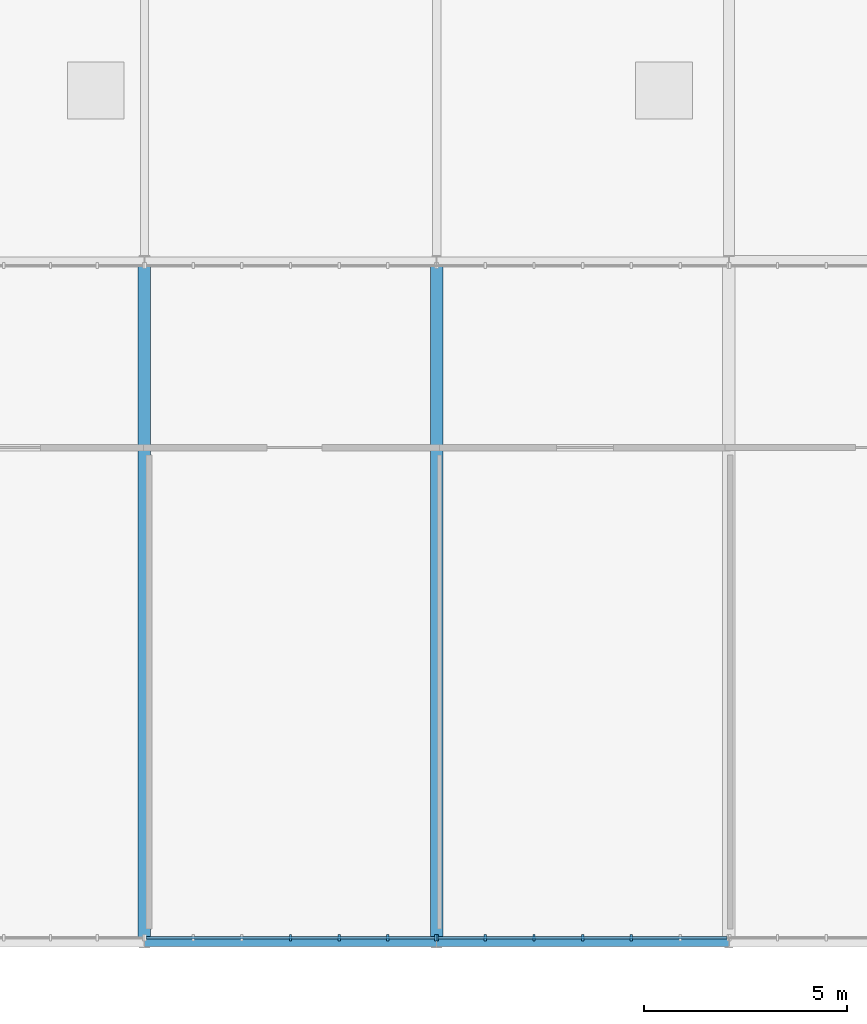
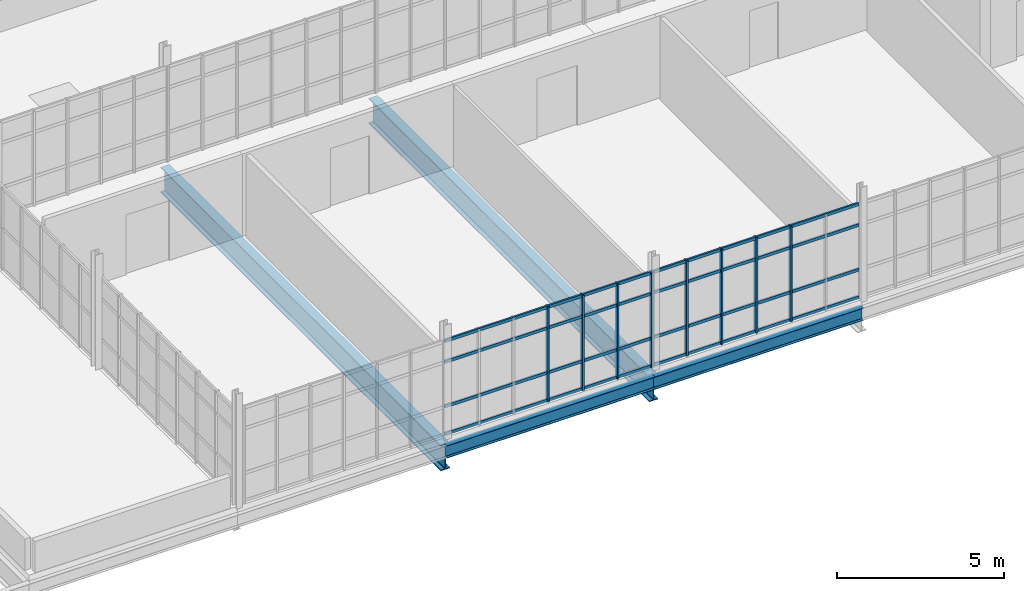
# One storey, part 33 of 119: 17 members, 4 beams, 2 elements without a shape of their own.
"""IFC4 building model written with IfcOpenShell, lengths in metres."""

from ifc_helpers import new_model, si_unit, direction, frame, origin, origin_2d, place, context, subcontext, project, spatial, rectangle, i_section, extrude, material, material_profile, profile_set, type_object, element, aggregate, save


model = new_model("IFC4")

# Units and contexts
model_context = context("Model", 3, precision=1e-05, world=origin(), true_north=direction((0.0, 1.0)))
body_context = subcontext(model_context, "Body", "Model", "MODEL_VIEW")
ifc_project = project(units=[si_unit("LENGTHUNIT", "METRE"), si_unit("AREAUNIT", "SQUARE_METRE"), si_unit("VOLUMEUNIT", "CUBIC_METRE"), si_unit("PLANEANGLEUNIT", "RADIAN"), si_unit("MASSUNIT", "GRAM", prefix="KILO")], contexts=[model_context])

# Site, building, storey
site_placement = place(None, origin())
site = spatial("IfcSite", under=ifc_project, at=site_placement, CompositionType="ELEMENT")
building_placement = place(site_placement, origin())
building = spatial("IfcBuilding", under=site, at=building_placement, Name="Qelthora Terrace Specialist Clinic", CompositionType="ELEMENT")
storey_placement = place(building_placement, frame((0.0, 0.0, 4.800048828125)))
storey = spatial("IfcBuildingStorey", under=building, at=storey_placement, Name="L01", CompositionType="ELEMENT", Elevation=4.800048828125)

# Beams
ifc_material_1 = material(Name="Steel S355", Category="steel")
ifc_material_profile_1 = material_profile(ifc_material_1, i_section(OverallWidth=0.30810546875, OverallDepth=0.927001953125, WebThickness=0.019287109375, FlangeThickness=0.031982421875, FilletRadius=0.02197265625, at=origin_2d()), Name="W920X289")
ifc_profile_set_1 = profile_set([ifc_material_profile_1], Name="Steel S355")
beam_type_1 = type_object("IfcBeamType", Name="BM-W920X289", PredefinedType="BEAM", material=ifc_profile_set_1)
for number, where, z_axis, x_axis, name in (
    (1, (115.199951171875, 0.0, -0.713623046875), (0.0, 1.0, 0.0), (-1.0, 0.0, 0.0), "Girder BMY-L01-0487"),
    (2, (122.39990234375, 0.0, -0.713623046875), (0.0, 1.0, 0.0), (-1.0, 0.0, 0.0), "Girder BMY-L01-0494"),
):
    element("IfcBeam", number, at=place(storey_placement, frame(where, z_axis=z_axis, x_axis=x_axis)), inside=storey, type_object=beam_type_1, Name=name, PredefinedType="BEAM", context=body_context, shape_type="SweptSolid", body=[
        extrude(i_section(OverallWidth=0.30810546875, OverallDepth=0.927001953125, WebThickness=0.019287109375, FlangeThickness=0.031982421875, FilletRadius=0.02197265625, at=origin_2d()), origin(), (0.0, 0.0, 1.0), 16.800048828125),
    ])

# Curtain wall, members
ifc_material_2 = material(Name="Aluminium anodized bronze", Category="aluminium")
curtain_wall_type = type_object("IfcCurtainWallType", Name="CW-CONS-UP", PredefinedType="NOTDEFINED", material=ifc_material_2)
curtain_wall_1_placement = place(storey_placement, origin())
curtain_wall_1 = element("IfcCurtainWall", 3, at=curtain_wall_1_placement, inside=storey, type_object=curtain_wall_type, Name="Curtain wall CW-L01-249", PredefinedType="NOTDEFINED")
ifc_material_profile_2 = material_profile(ifc_material_2, rectangle(XDim=0.06005859375, YDim=0.14990234375, at=origin_2d()), Name="CWM60X150")
ifc_profile_set_2 = profile_set([ifc_material_profile_2], Name="Aluminium anodized bronze")
member_type_1 = type_object("IfcMemberType", Name="CWM-60X150", PredefinedType="MULLION", material=ifc_profile_set_2)
member_1_placement = place(storey_placement, frame((118.800048828125, 0.1201171875, 0.0), z_axis=(0.0, 0.0, 1.0), x_axis=(1.0, 0.0, 0.0)))
member_1 = element("IfcMember", 4, at=member_1_placement, type_object=member_type_1, Name="CW-L01-249 mullion 4", PredefinedType="MULLION", context=body_context, shape_type="SweptSolid", body=[
    extrude(rectangle(XDim=0.06005859375, YDim=0.14990234375, at=origin_2d()), origin(), (0.0, 0.0, 1.0), 3.48193359375),
])
member_2_placement = place(storey_placement, frame((120.0, 0.1201171875, 0.0), z_axis=(0.0, 0.0, 1.0), x_axis=(1.0, 0.0, 0.0)))
member_2 = element("IfcMember", 5, at=member_2_placement, type_object=member_type_1, Name="CW-L01-249 mullion 5", PredefinedType="MULLION", context=body_context, shape_type="SweptSolid", body=[
    extrude(rectangle(XDim=0.06005859375, YDim=0.14990234375, at=origin_2d()), origin(), (0.0, 0.0, 1.0), 3.48193359375),
])
member_3_placement = place(storey_placement, frame((121.199951171875, 0.1201171875, 0.0), z_axis=(0.0, 0.0, 1.0), x_axis=(1.0, 0.0, 0.0)))
member_3 = element("IfcMember", 6, at=member_3_placement, type_object=member_type_1, Name="CW-L01-249 mullion 6", PredefinedType="MULLION", context=body_context, shape_type="SweptSolid", body=[
    extrude(rectangle(XDim=0.06005859375, YDim=0.14990234375, at=origin_2d()), origin(), (0.0, 0.0, 1.0), 3.48193359375),
])
member_4_placement = place(storey_placement, frame((122.3798828125, 0.1201171875, 0.0), z_axis=(0.0, 0.0, 1.0), x_axis=(1.0, 0.0, 0.0)))
member_4 = element("IfcMember", 7, at=member_4_placement, type_object=member_type_1, Name="CW-L01-249 mullion 7", PredefinedType="MULLION", context=body_context, shape_type="SweptSolid", body=[
    extrude(rectangle(XDim=0.06005859375, YDim=0.14990234375, at=origin_2d()), origin(), (0.0, 0.0, 1.0), 3.48193359375),
])

curtain_wall_2_placement = place(storey_placement, origin())
curtain_wall_2 = element("IfcCurtainWall", 8, at=curtain_wall_2_placement, inside=storey, type_object=curtain_wall_type, Name="Curtain wall CW-L01-250", PredefinedType="NOTDEFINED")
member_5_placement = place(storey_placement, frame((122.419921875, 0.1201171875, 0.0), z_axis=(0.0, 0.0, 1.0), x_axis=(1.0, 0.0, 0.0)))
member_5 = element("IfcMember", 9, at=member_5_placement, type_object=member_type_1, Name="CW-L01-250 mullion 1", PredefinedType="MULLION", context=body_context, shape_type="SweptSolid", body=[
    extrude(rectangle(XDim=0.06005859375, YDim=0.14990234375, at=origin_2d()), origin(), (0.0, 0.0, 1.0), 3.48193359375),
])
member_6_placement = place(storey_placement, frame((123.60009765625, 0.1201171875, 0.0), z_axis=(0.0, 0.0, 1.0), x_axis=(1.0, 0.0, 0.0)))
member_6 = element("IfcMember", 10, at=member_6_placement, type_object=member_type_1, Name="CW-L01-250 mullion 2", PredefinedType="MULLION", context=body_context, shape_type="SweptSolid", body=[
    extrude(rectangle(XDim=0.06005859375, YDim=0.14990234375, at=origin_2d()), origin(), (0.0, 0.0, 1.0), 3.48193359375),
])
member_7_placement = place(storey_placement, frame((124.800048828125, 0.1201171875, 0.0), z_axis=(0.0, 0.0, 1.0), x_axis=(1.0, 0.0, 0.0)))
member_7 = element("IfcMember", 11, at=member_7_placement, type_object=member_type_1, Name="CW-L01-250 mullion 3", PredefinedType="MULLION", context=body_context, shape_type="SweptSolid", body=[
    extrude(rectangle(XDim=0.06005859375, YDim=0.14990234375, at=origin_2d()), origin(), (0.0, 0.0, 1.0), 3.48193359375),
])
member_8_placement = place(storey_placement, frame((126.0, 0.1201171875, 0.0), z_axis=(0.0, 0.0, 1.0), x_axis=(1.0, 0.0, 0.0)))
member_8 = element("IfcMember", 12, at=member_8_placement, type_object=member_type_1, Name="CW-L01-250 mullion 4", PredefinedType="MULLION", context=body_context, shape_type="SweptSolid", body=[
    extrude(rectangle(XDim=0.06005859375, YDim=0.14990234375, at=origin_2d()), origin(), (0.0, 0.0, 1.0), 3.48193359375),
])
member_9_placement = place(storey_placement, frame((127.199951171875, 0.1201171875, 0.0), z_axis=(0.0, 0.0, 1.0), x_axis=(1.0, 0.0, 0.0)))
member_9 = element("IfcMember", 13, at=member_9_placement, type_object=member_type_1, Name="CW-L01-250 mullion 5", PredefinedType="MULLION", context=body_context, shape_type="SweptSolid", body=[
    extrude(rectangle(XDim=0.06005859375, YDim=0.14990234375, at=origin_2d()), origin(), (0.0, 0.0, 1.0), 3.48193359375),
])

# Member
ifc_material_profile_3 = material_profile(ifc_material_2, rectangle(XDim=0.06005859375, YDim=0.110107421875, at=origin_2d()), Name="CWT60X110")
ifc_profile_set_3 = profile_set([ifc_material_profile_3], Name="Aluminium anodized bronze")
member_type_2 = type_object("IfcMemberType", Name="CWT-60X110", PredefinedType="USERDEFINED", material=ifc_profile_set_3)
member_10_placement = place(storey_placement, frame((115.239990234375, 0.1201171875, 0.0400390625), z_axis=(1.0, 0.0, 0.0), x_axis=(0.0, 1.0, 0.0)))
member_10 = element("IfcMember", 14, at=member_10_placement, type_object=member_type_2, Name="CW-L01-249 transom 1", ObjectType="TRANSOM", PredefinedType="USERDEFINED", context=body_context, shape_type="SweptSolid", body=[
    extrude(rectangle(XDim=0.06005859375, YDim=0.110107421875, at=origin_2d()), origin(), (0.0, 0.0, 1.0), 7.1201171875),
])

member_11_placement = place(storey_placement, frame((115.239990234375, 0.1201171875, 1.050048828125), z_axis=(1.0, 0.0, 0.0), x_axis=(0.0, 1.0, 0.0)))
member_11 = element("IfcMember", 15, at=member_11_placement, type_object=member_type_2, Name="CW-L01-249 transom 2", ObjectType="TRANSOM", PredefinedType="USERDEFINED", context=body_context, shape_type="SweptSolid", body=[
    extrude(rectangle(XDim=0.06005859375, YDim=0.110107421875, at=origin_2d()), origin(), (0.0, 0.0, 1.0), 7.1201171875),
])

member_12_placement = place(storey_placement, frame((115.239990234375, 0.1201171875, 2.681884765625), z_axis=(1.0, 0.0, 0.0), x_axis=(0.0, 1.0, 0.0)))
member_12 = element("IfcMember", 16, at=member_12_placement, type_object=member_type_2, Name="CW-L01-249 transom 3", ObjectType="TRANSOM", PredefinedType="USERDEFINED", context=body_context, shape_type="SweptSolid", body=[
    extrude(rectangle(XDim=0.06005859375, YDim=0.110107421875, at=origin_2d()), origin(), (0.0, 0.0, 1.0), 7.1201171875),
])

member_13_placement = place(storey_placement, frame((115.239990234375, 0.1201171875, 3.44189453125), z_axis=(1.0, 0.0, 0.0), x_axis=(0.0, 1.0, 0.0)))
member_13 = element("IfcMember", 17, at=member_13_placement, type_object=member_type_2, Name="CW-L01-249 transom 4", ObjectType="TRANSOM", PredefinedType="USERDEFINED", context=body_context, shape_type="SweptSolid", body=[
    extrude(rectangle(XDim=0.06005859375, YDim=0.110107421875, at=origin_2d()), origin(), (0.0, 0.0, 1.0), 7.1201171875),
])

aggregate(curtain_wall_1, [member_1, member_2, member_3, member_4, member_10, member_11, member_12, member_13])

member_14_placement = place(storey_placement, frame((122.43994140625, 0.1201171875, 0.0400390625), z_axis=(1.0, 0.0, 0.0), x_axis=(0.0, 1.0, 0.0)))
member_14 = element("IfcMember", 18, at=member_14_placement, type_object=member_type_2, Name="CW-L01-250 transom 1", ObjectType="TRANSOM", PredefinedType="USERDEFINED", context=body_context, shape_type="SweptSolid", body=[
    extrude(rectangle(XDim=0.06005859375, YDim=0.110107421875, at=origin_2d()), origin(), (0.0, 0.0, 1.0), 7.1201171875),
])

member_15_placement = place(storey_placement, frame((122.43994140625, 0.1201171875, 1.050048828125), z_axis=(1.0, 0.0, 0.0), x_axis=(0.0, 1.0, 0.0)))
member_15 = element("IfcMember", 19, at=member_15_placement, type_object=member_type_2, Name="CW-L01-250 transom 2", ObjectType="TRANSOM", PredefinedType="USERDEFINED", context=body_context, shape_type="SweptSolid", body=[
    extrude(rectangle(XDim=0.06005859375, YDim=0.110107421875, at=origin_2d()), origin(), (0.0, 0.0, 1.0), 7.1201171875),
])

member_16_placement = place(storey_placement, frame((122.43994140625, 0.1201171875, 2.681884765625), z_axis=(1.0, 0.0, 0.0), x_axis=(0.0, 1.0, 0.0)))
member_16 = element("IfcMember", 20, at=member_16_placement, type_object=member_type_2, Name="CW-L01-250 transom 3", ObjectType="TRANSOM", PredefinedType="USERDEFINED", context=body_context, shape_type="SweptSolid", body=[
    extrude(rectangle(XDim=0.06005859375, YDim=0.110107421875, at=origin_2d()), origin(), (0.0, 0.0, 1.0), 7.1201171875),
])

member_17_placement = place(storey_placement, frame((122.43994140625, 0.1201171875, 3.44189453125), z_axis=(1.0, 0.0, 0.0), x_axis=(0.0, 1.0, 0.0)))
member_17 = element("IfcMember", 21, at=member_17_placement, type_object=member_type_2, Name="CW-L01-250 transom 4", ObjectType="TRANSOM", PredefinedType="USERDEFINED", context=body_context, shape_type="SweptSolid", body=[
    extrude(rectangle(XDim=0.06005859375, YDim=0.110107421875, at=origin_2d()), origin(), (0.0, 0.0, 1.0), 7.1201171875),
])

aggregate(curtain_wall_2, [member_5, member_6, member_7, member_8, member_9, member_14, member_15, member_16, member_17])

# Beams
ifc_material_profile_4 = material_profile(ifc_material_1, i_section(OverallWidth=0.19091796875, OverallDepth=0.4599609375, WebThickness=0.010009765625, FlangeThickness=0.01611328125, FilletRadius=0.012939453125, at=origin_2d()), Name="W460X82")
ifc_profile_set_4 = profile_set([ifc_material_profile_4], Name="Steel S355")
beam_type_2 = type_object("IfcBeamType", Name="SPD-W460X82", PredefinedType="SPANDREL", material=ifc_profile_set_4)
beam_1_placement = place(storey_placement, frame((115.199951171875, 0.0, -0.47998046875), z_axis=(1.0, 0.0, 0.0), x_axis=(0.0, 1.0, 0.0)))
element("IfcBeam", 22, at=beam_1_placement, inside=storey, type_object=beam_type_2, Name="Girder BMX-L01-0141", PredefinedType="SPANDREL", context=body_context, shape_type="SweptSolid", body=[
    extrude(i_section(OverallWidth=0.19091796875, OverallDepth=0.4599609375, WebThickness=0.010009765625, FlangeThickness=0.01611328125, FilletRadius=0.012939453125, at=origin_2d()), origin(), (0.0, 0.0, 1.0), 7.199951171875),
])
beam_2_placement = place(storey_placement, frame((122.39990234375, 0.0, -0.47998046875), z_axis=(1.0, 0.0, 0.0), x_axis=(0.0, 1.0, 0.0)))
element("IfcBeam", 23, at=beam_2_placement, inside=storey, type_object=beam_type_2, Name="Girder BMX-L01-0142", PredefinedType="SPANDREL", context=body_context, shape_type="SweptSolid", body=[
    extrude(i_section(OverallWidth=0.19091796875, OverallDepth=0.4599609375, WebThickness=0.010009765625, FlangeThickness=0.01611328125, FilletRadius=0.012939453125, at=origin_2d()), origin(), (0.0, 0.0, 1.0), 7.2001953125),
])

save(model, "model.ifc")
